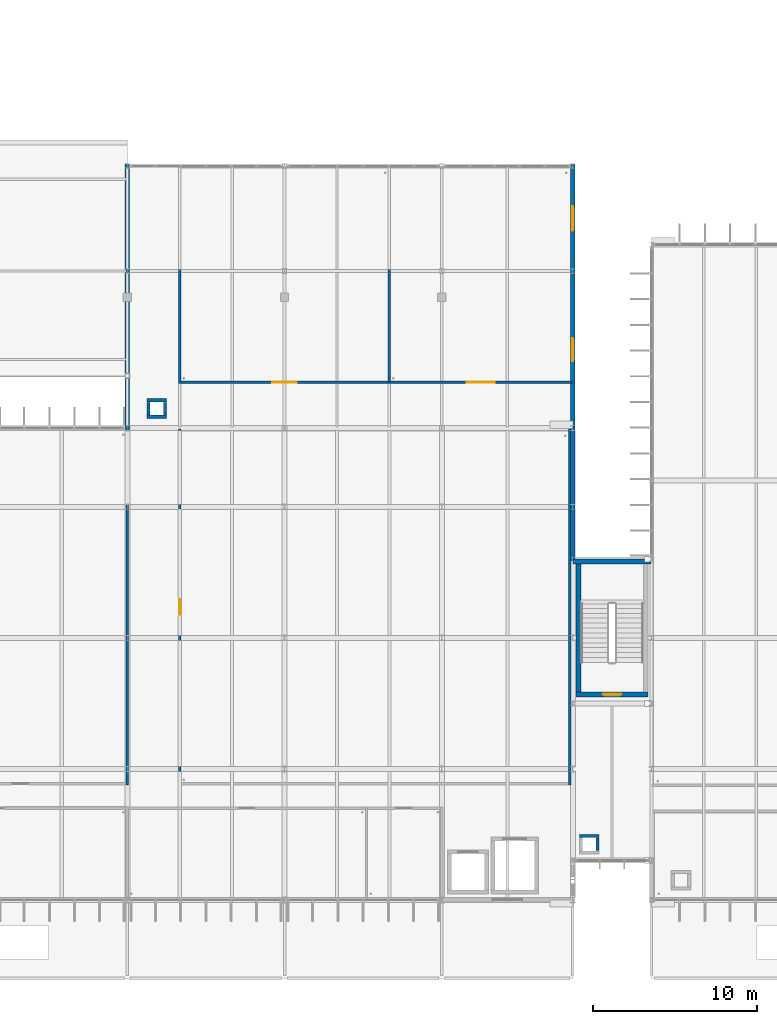
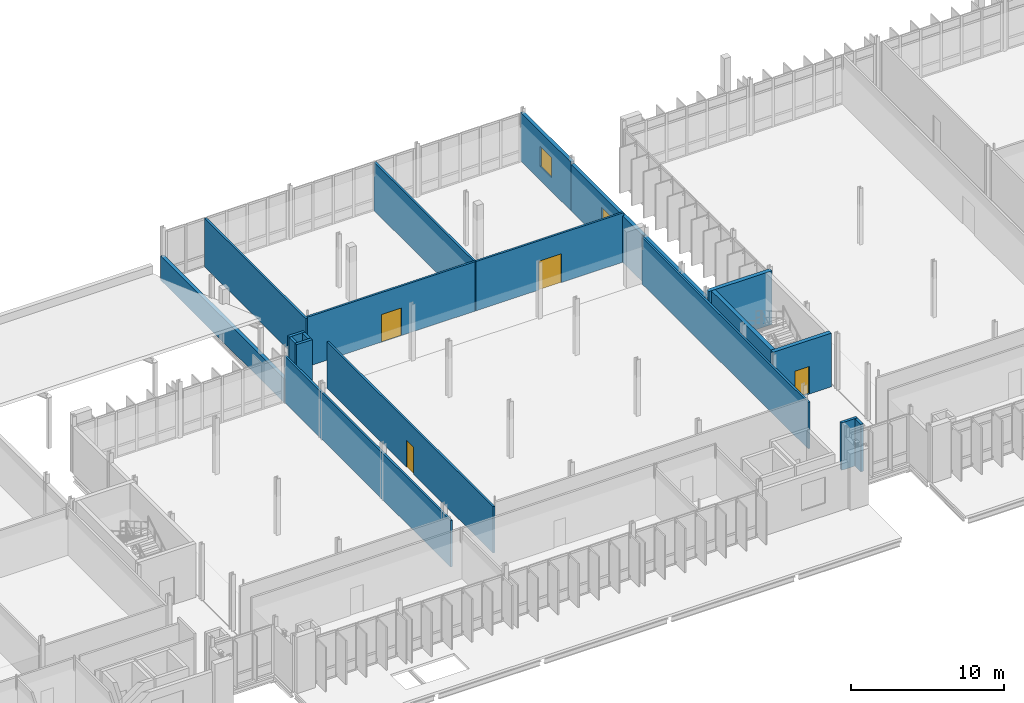
# One storey, part 64 of 107: 20 walls, 4 doors, 2 windows, 6 openings.
"""IFC4 building model written with IfcOpenShell, lengths in metres."""

from ifc_helpers import new_model, si_unit, direction, frame, frame_2d, origin, place, context, subcontext, project, spatial, rectangle, extrude, material, layer, layer_set, type_object, element, fill, save


model = new_model("IFC4")

# Units and contexts
model_context = context("Model", 3, precision=1e-05, world=origin(), true_north=direction((0.0, 1.0)))
body_context = subcontext(model_context, "Body", "Model", "MODEL_VIEW")
ifc_project = project(units=[si_unit("LENGTHUNIT", "METRE"), si_unit("AREAUNIT", "SQUARE_METRE"), si_unit("VOLUMEUNIT", "CUBIC_METRE"), si_unit("PLANEANGLEUNIT", "RADIAN"), si_unit("MASSUNIT", "GRAM", prefix="KILO")], contexts=[model_context])

# Site, building, storey
site_placement = place(None, origin())
site = spatial("IfcSite", under=ifc_project, at=site_placement, CompositionType="ELEMENT")
building_placement = place(site_placement, origin())
building = spatial("IfcBuilding", under=site, at=building_placement, Name="Dunescarp Central Library", CompositionType="ELEMENT")
storey_placement = place(building_placement, frame((0.0, 0.0, 5.10009765625)))
storey = spatial("IfcBuildingStorey", under=building, at=storey_placement, Name="L01", CompositionType="ELEMENT", Elevation=5.10009765625)

# Wall
ifc_material_1 = material(Name="Gypsum plasterboard acoustic partition")
ifc_layer_1 = layer(ifc_material_1, 0.14990234375)
ifc_layer_set_1 = layer_set([ifc_layer_1], Name="Gypsum plasterboard acoustic partition")
wall_type_1 = type_object("IfcWallType", Name="ARC-PT-AC150", PredefinedType="PARTITIONING", material=ifc_layer_set_1)
wall_1_placement = place(storey_placement, frame((97.60009765625, 11.824951171875, 0.0), z_axis=(0.0, 0.0, 1.0), x_axis=(0.0, 1.0, 0.0)))
element("IfcWall", 1, at=wall_1_placement, inside=storey, type_object=wall_type_1, Name="L01 partition PT-L01-0276", PredefinedType="PARTITIONING", context=body_context, shape_type="SweptSolid", body=[
    extrude(rectangle(XDim=21.735107421875, YDim=0.14990234375, at=frame_2d((10.86767578125, 0.0))), origin(), (0.0, 0.0, 1.0), 3.71484375),
])

# Wall, opening, door
wall_2_placement = place(storey_placement, frame((100.800048828125, 11.824951171875, 0.0), z_axis=(0.0, 0.0, 1.0), x_axis=(0.0, 1.0, 0.0)))
wall_2 = element("IfcWall", 2, at=wall_2_placement, inside=storey, type_object=wall_type_1, Name="L01 partition PT-L01-0278", PredefinedType="PARTITIONING", context=body_context, shape_type="SweptSolid", body=[
    extrude(rectangle(XDim=21.735107421875, YDim=0.14990234375, at=frame_2d((10.86767578125, 0.0))), origin(), (0.0, 0.0, 1.0), 3.71484375),
])
opening_1_placement = place(wall_2_placement, frame((10.39306640625, 0.0, 0.0)))
opening_1 = element("IfcOpeningElement", 3, at=opening_1_placement, cuts=wall_2, Name="Opening DR-L01-0116", PredefinedType="OPENING", context=body_context, shape_type="SweptSolid", body=[
    extrude(rectangle(XDim=0.949951171875, YDim=2.14990234375, at=frame_2d((0.47509765625, 1.074951171875))), frame((0.0, 0.0849609375, 0.0), z_axis=(0.0, -1.0, 0.0), x_axis=(1.0, 0.0, 0.0)), (0.0, 0.0, 1.0), 0.169921875),
])
ifc_material_2 = material(Name="Hardwood solid-core timber leaf", Category="wood")
door_type_1 = type_object("IfcDoorType", Name="ARC-DR-INT950", OperationType="NOTDEFINED", PredefinedType="DOOR", material=ifc_material_2)
door_1_placement = place(opening_1_placement, origin())
door_1 = element("IfcDoor", 4, at=door_1_placement, inside=storey, type_object=door_type_1, Name="L01 interior door DR-L01-0116", OperationType="SINGLE_SWING_LEFT", OverallHeight=2.14990234375, OverallWidth=0.949951171875, PredefinedType="DOOR", context=body_context, shape_type="SweptSolid", body=[
    extrude(rectangle(XDim=0.949951171875, YDim=2.14990234375, at=frame_2d((0.47509765625, 1.074951171875))), frame((0.0, 0.02490234375, 0.0), z_axis=(0.0, -1.0, 0.0), x_axis=(1.0, 0.0, 0.0)), (0.0, 0.0, 1.0), 0.050048828125),
])
fill(opening_1, door_1)

# Wall
wall_3_placement = place(storey_placement, frame((124.60009765625, 11.824951171875, 0.0), z_axis=(0.0, 0.0, 1.0), x_axis=(0.0, 1.0, 0.0)))
element("IfcWall", 5, at=wall_3_placement, inside=storey, type_object=wall_type_1, Name="L01 partition PT-L01-0279", PredefinedType="PARTITIONING", context=body_context, shape_type="SweptSolid", body=[
    extrude(rectangle(XDim=21.735107421875, YDim=0.14990234375, at=frame_2d((10.86767578125, 0.0))), origin(), (0.0, 0.0, 1.0), 3.71484375),
])

# Wall, opening, door
wall_4_placement = place(storey_placement, frame((100.875, 36.39990234375, 0.0), z_axis=(0.0, 0.0, 1.0), x_axis=(1.0, 0.0, 0.0)))
wall_4 = element("IfcWall", 6, at=wall_4_placement, inside=storey, type_object=wall_type_1, Name="L01 partition PT-L01-0318", PredefinedType="PARTITIONING", context=body_context, shape_type="SweptSolid", body=[
    extrude(rectangle(XDim=12.64990234375, YDim=0.14990234375, at=frame_2d((6.324951171875, 0.0))), origin(), (0.0, 0.0, 1.0), 3.954833984375),
])
opening_2_placement = place(wall_4_placement, frame((5.574951171875, 0.0, 0.0)))
opening_2 = element("IfcOpeningElement", 7, at=opening_2_placement, cuts=wall_4, Name="Opening DR-L01-0136", PredefinedType="OPENING", context=body_context, shape_type="SweptSolid", body=[
    extrude(rectangle(XDim=1.5, YDim=2.199951171875, at=frame_2d((0.75, 1.10009765625))), frame((0.0, 0.0849609375, 0.0), z_axis=(0.0, -1.0, 0.0), x_axis=(1.0, 0.0, 0.0)), (0.0, 0.0, 1.0), 0.169921875),
])
ifc_material_3 = material(Name="Marine-grade anodised aluminium 6063-T6", Category="aluminium")
door_type_2 = type_object("IfcDoorType", Name="ARC-DR-DBL1500", OperationType="DOUBLE_DOOR_SINGLE_SWING", PredefinedType="DOOR", material=ifc_material_3)
door_2_placement = place(opening_2_placement, origin())
door_2 = element("IfcDoor", 8, at=door_2_placement, inside=storey, type_object=door_type_2, Name="L01 interior door DR-L01-0136", OperationType="DOUBLE_DOOR_SINGLE_SWING", OverallHeight=2.199951171875, OverallWidth=1.5, PredefinedType="DOOR", context=body_context, shape_type="SweptSolid", body=[
    extrude(rectangle(XDim=1.5, YDim=2.199951171875, at=frame_2d((0.75, 1.10009765625))), frame((0.0, 0.02490234375, 0.0), z_axis=(0.0, -1.0, 0.0), x_axis=(1.0, 0.0, 0.0)), (0.0, 0.0, 1.0), 0.050048828125),
])
fill(opening_2, door_2)

# Walls
for number, where, z_axis, x_axis, name in (
    (9, (100.800048828125, 36.324951171875, 0.0), (0.0, 0.0, 1.0), (0.0, 1.0, 0.0), "L01 partition PT-L01-0319"),
    (10, (113.60009765625, 36.324951171875, 0.0), (0.0, 0.0, 1.0), (0.0, 1.0, 0.0), "L01 partition PT-L01-0320"),
):
    element("IfcWall", number, at=place(storey_placement, frame(where, z_axis=z_axis, x_axis=x_axis)), inside=storey, type_object=wall_type_1, Name=name, PredefinedType="PARTITIONING", context=body_context, shape_type="SweptSolid", body=[
        extrude(rectangle(XDim=13.235107421875, YDim=0.14990234375, at=frame_2d((6.61767578125, 0.0))), origin(), (0.0, 0.0, 1.0), 3.875),
    ])

# Wall, opening, door
wall_5_placement = place(storey_placement, frame((113.60009765625, 36.39990234375, 0.0), z_axis=(0.0, 0.0, 1.0), x_axis=(1.0, 0.0, 0.0)))
wall_5 = element("IfcWall", 11, at=wall_5_placement, inside=storey, type_object=wall_type_1, Name="L01 partition PT-L01-0321", PredefinedType="PARTITIONING", context=body_context, shape_type="SweptSolid", body=[
    extrude(rectangle(XDim=11.159912109375, YDim=0.14990234375, at=frame_2d((5.580078125, 0.0))), origin(), (0.0, 0.0, 1.0), 3.934814453125),
])
opening_3_placement = place(wall_5_placement, frame((4.72998046875, 0.0, 0.0)))
opening_3 = element("IfcOpeningElement", 12, at=opening_3_placement, cuts=wall_5, Name="Opening DR-L01-0137", PredefinedType="OPENING", context=body_context, shape_type="SweptSolid", body=[
    extrude(rectangle(XDim=1.699951171875, YDim=2.300048828125, at=frame_2d((0.85009765625, 1.14990234375))), frame((0.0, 0.0849609375, 0.0), z_axis=(0.0, -1.0, 0.0), x_axis=(1.0, 0.0, 0.0)), (0.0, 0.0, 1.0), 0.169921875),
])
door_type_3 = type_object("IfcDoorType", Name="ARC-DR-DBL1700", OperationType="DOUBLE_DOOR_SINGLE_SWING", PredefinedType="DOOR", material=ifc_material_3)
door_3_placement = place(opening_3_placement, origin())
door_3 = element("IfcDoor", 13, at=door_3_placement, inside=storey, type_object=door_type_3, Name="L01 interior door DR-L01-0137", OperationType="DOUBLE_DOOR_SINGLE_SWING", OverallHeight=2.300048828125, OverallWidth=1.699951171875, PredefinedType="DOOR", context=body_context, shape_type="SweptSolid", body=[
    extrude(rectangle(XDim=1.699951171875, YDim=2.300048828125, at=frame_2d((0.85009765625, 1.14990234375))), frame((0.0, 0.02490234375, 0.0), z_axis=(0.0, -1.0, 0.0), x_axis=(1.0, 0.0, 0.0)), (0.0, 0.0, 1.0), 0.050048828125),
])
fill(opening_3, door_3)

# Wall
ifc_material_4 = material(Name="Glass-fibre reinforced concrete GRC", Category="concrete")
ifc_layer_2 = layer(ifc_material_4, 0.260009765625)
ifc_layer_set_2 = layer_set([ifc_layer_2], Name="Glass-fibre reinforced concrete GRC")
wall_type_2 = type_object("IfcWallType", Name="ARC-WL-GRC260", PredefinedType="SOLIDWALL", material=ifc_layer_set_2)
wall_6_placement = place(storey_placement, frame((124.800048828125, 33.68505859375, 0.0), z_axis=(0.0, 0.0, 1.0), x_axis=(0.0, -1.0, 0.0)))
element("IfcWall", 14, at=wall_6_placement, inside=storey, type_object=wall_type_2, Name="L01 external wall EW-V3-075", PredefinedType="SOLIDWALL", context=body_context, shape_type="SweptSolid", body=[
    extrude(rectangle(XDim=8.170166015625, YDim=0.260009765625, at=frame_2d((4.0849609375, 0.0))), origin(), (0.0, 0.0, 1.0), 3.71484375),
])

# Wall, opening, window
wall_7_placement = place(storey_placement, frame((124.800048828125, 49.68505859375, 0.0), z_axis=(0.0, 0.0, 1.0), x_axis=(0.0, -1.0, 0.0)))
wall_7 = element("IfcWall", 15, at=wall_7_placement, inside=storey, type_object=wall_type_2, Name="L01 external wall EW-V3D-L01-101", PredefinedType="SOLIDWALL", context=body_context, shape_type="SweptSolid", body=[
    extrude(rectangle(XDim=6.570068359375, YDim=0.260009765625, at=frame_2d((3.28515625, 0.0))), origin(), (0.0, 0.0, 1.0), 3.875),
])
opening_4_placement = place(wall_7_placement, frame((2.534912109375, 0.0, 1.10009765625)))
opening_4 = element("IfcOpeningElement", 16, at=opening_4_placement, cuts=wall_7, Name="Opening WN-V3D-L01-28", PredefinedType="OPENING", context=body_context, shape_type="SweptSolid", body=[
    extrude(rectangle(XDim=1.5, YDim=1.60009765625, at=frame_2d((0.75, 0.800048828125))), frame((0.0, 0.14013671875, 0.0), z_axis=(0.0, -1.0, 0.0), x_axis=(1.0, 0.0, 0.0)), (0.0, 0.0, 1.0), 0.280029296875),
])
ifc_material_5 = material(Name="Solar-control laminated double glazing", Category="glass")
window_type_1 = type_object("IfcWindowType", Name="ARC-WN-1500X1600", PartitioningType="SINGLE_PANEL", PredefinedType="WINDOW", material=ifc_material_5)
window_1_placement = place(opening_4_placement, origin())
window_1 = element("IfcWindow", 17, at=window_1_placement, inside=storey, type_object=window_type_1, Name="L01 window WN-V3D-L01-28", OverallHeight=1.60009765625, OverallWidth=1.5, PartitioningType="SINGLE_PANEL", PredefinedType="WINDOW", context=body_context, shape_type="SweptSolid", body=[
    extrude(rectangle(XDim=1.5, YDim=1.60009765625, at=frame_2d((0.75, 0.800048828125))), frame((0.0, 0.030029296875, 0.0), z_axis=(0.0, -1.0, 0.0), x_axis=(1.0, 0.0, 0.0)), (0.0, 0.0, 1.0), 0.06005859375),
])
fill(opening_4, window_1)

wall_8_placement = place(storey_placement, frame((124.800048828125, 43.284912109375, 0.0), z_axis=(0.0, 0.0, 1.0), x_axis=(0.0, -1.0, 0.0)))
wall_8 = element("IfcWall", 18, at=wall_8_placement, inside=storey, type_object=wall_type_2, Name="L01 external wall EW-V3D-L01-102", PredefinedType="SOLIDWALL", context=body_context, shape_type="SweptSolid", body=[
    extrude(rectangle(XDim=9.77001953125, YDim=0.260009765625, at=frame_2d((4.885009765625, 0.0))), origin(), (0.0, 0.0, 1.0), 3.71484375),
])
opening_5_placement = place(wall_8_placement, frame((4.18505859375, 0.0, 1.10009765625)))
opening_5 = element("IfcOpeningElement", 19, at=opening_5_placement, cuts=wall_8, Name="Opening WN-V3D-L01-29", PredefinedType="OPENING", context=body_context, shape_type="SweptSolid", body=[
    extrude(rectangle(XDim=1.39990234375, YDim=1.60009765625, at=frame_2d((0.699951171875, 0.800048828125))), frame((0.0, 0.14013671875, 0.0), z_axis=(0.0, -1.0, 0.0), x_axis=(1.0, 0.0, 0.0)), (0.0, 0.0, 1.0), 0.280029296875),
])
window_type_2 = type_object("IfcWindowType", Name="ARC-WN-1400X1600", PartitioningType="SINGLE_PANEL", PredefinedType="WINDOW", material=ifc_material_5)
window_2_placement = place(opening_5_placement, origin())
window_2 = element("IfcWindow", 20, at=window_2_placement, inside=storey, type_object=window_type_2, Name="L01 window WN-V3D-L01-29", OverallHeight=1.60009765625, OverallWidth=1.39990234375, PartitioningType="SINGLE_PANEL", PredefinedType="WINDOW", context=body_context, shape_type="SweptSolid", body=[
    extrude(rectangle(XDim=1.39990234375, YDim=1.60009765625, at=frame_2d((0.699951171875, 0.800048828125))), frame((0.0, 0.030029296875, 0.0), z_axis=(0.0, -1.0, 0.0), x_axis=(1.0, 0.0, 0.0)), (0.0, 0.0, 1.0), 0.06005859375),
])
fill(opening_5, window_2)

# Walls
wall_9_placement = place(storey_placement, frame((97.60009765625, 33.514892578125, 0.0), z_axis=(0.0, 0.0, 1.0), x_axis=(0.0, 1.0, 0.0)))
element("IfcWall", 21, at=wall_9_placement, inside=storey, type_object=wall_type_2, Name="L01 external wall EW-V3D-L01-W", PredefinedType="SOLIDWALL", context=body_context, shape_type="SweptSolid", body=[
    extrude(rectangle(XDim=16.170166015625, YDim=0.260009765625, at=frame_2d((8.0849609375, 0.0))), origin(), (0.0, 0.0, 1.0), 1.927001953125),
])
ifc_material_6 = material(Name="Concrete C35/45", Category="concrete")
ifc_layer_3 = layer(ifc_material_6, 0.199951171875)
ifc_layer_set_3 = layer_set([ifc_layer_3], Name="Concrete C35/45")
wall_type_3 = type_object("IfcWallType", Name="ARC-WL-RISER200", PredefinedType="PARTITIONING", material=ifc_layer_set_3)
wall_10_placement = place(storey_placement, frame((125.199951171875, 8.699951171875, 0.0), z_axis=(0.0, 0.0, 1.0), x_axis=(1.0, 0.0, 0.0)))
element("IfcWall", 22, at=wall_10_placement, inside=storey, type_object=wall_type_3, Name="L01 GL3 duct shaft wall N", PredefinedType="PARTITIONING", context=body_context, shape_type="SweptSolid", body=[
    extrude(rectangle(XDim=1.199951171875, YDim=0.199951171875, at=frame_2d((0.60009765625, 0.0))), origin(), (0.0, 0.0, 1.0), 3.789794921875),
])
wall_11_placement = place(storey_placement, frame((126.300048828125, 8.580078125, 0.0), z_axis=(0.0, 0.0, 1.0), x_axis=(0.0, -1.0, 0.0)))
element("IfcWall", 23, at=wall_11_placement, inside=storey, type_object=wall_type_3, Name="L01 GL3 duct shaft wall E", PredefinedType="PARTITIONING", context=body_context, shape_type="SweptSolid", body=[
    extrude(rectangle(XDim=0.760009765625, YDim=0.199951171875, at=frame_2d((0.3798828125, 0.0))), origin(), (0.0, 0.0, 1.0), 3.789794921875),
])
for number, where, z_axis, x_axis, name in (
    (24, (100.0, 34.300048828125, 0.0), (0.0, 0.0, 1.0), (-1.0, 0.0, 0.0), "L01 V3D duct shaft wall S"),
    (25, (98.800048828125, 35.300048828125, 0.0), (0.0, 0.0, 1.0), (1.0, 0.0, 0.0), "L01 V3D duct shaft wall N"),
):
    element("IfcWall", number, at=place(storey_placement, frame(where, z_axis=z_axis, x_axis=x_axis)), inside=storey, type_object=wall_type_3, Name=name, PredefinedType="PARTITIONING", context=body_context, shape_type="SweptSolid", body=[
        extrude(rectangle(XDim=1.199951171875, YDim=0.199951171875, at=frame_2d((0.60009765625, 0.0))), origin(), (0.0, 0.0, 1.0), 3.7548828125),
    ])
for number, where, z_axis, x_axis, name in (
    (26, (98.89990234375, 34.419921875, 0.0), (0.0, 0.0, 1.0), (0.0, 1.0, 0.0), "L01 V3D duct shaft wall W"),
    (27, (99.89990234375, 35.179931640625, 0.0), (0.0, 0.0, 1.0), (0.0, -1.0, 0.0), "L01 V3D duct shaft wall E"),
):
    element("IfcWall", number, at=place(storey_placement, frame(where, z_axis=z_axis, x_axis=x_axis)), inside=storey, type_object=wall_type_3, Name=name, PredefinedType="PARTITIONING", context=body_context, shape_type="SweptSolid", body=[
        extrude(rectangle(XDim=0.760009765625, YDim=0.199951171875, at=frame_2d((0.3798828125, 0.0))), origin(), (0.0, 0.0, 1.0), 3.7548828125),
    ])

# Wall, opening, door
ifc_material_7 = material(Name="Concrete C40/50", Category="concrete")
ifc_layer_4 = layer(ifc_material_7, 0.300048828125)
ifc_layer_set_4 = layer_set([ifc_layer_4], Name="Concrete C40/50")
wall_type_4 = type_object("IfcWallType", Name="STR-WL-CORE300", PredefinedType="SHEAR", material=ifc_layer_set_4)
wall_12_placement = place(storey_placement, frame((129.39990234375, 17.35009765625, 0.0), z_axis=(0.0, 0.0, 1.0), x_axis=(-1.0, 0.0, 0.0)))
wall_12 = element("IfcWall", 28, at=wall_12_placement, inside=storey, type_object=wall_type_4, Name="L01 ST-5 south core wall", PredefinedType="SHEAR", context=body_context, shape_type="SweptSolid", body=[
    extrude(rectangle(XDim=4.39990234375, YDim=0.300048828125, at=frame_2d((2.199951171875, 0.0))), origin(), (0.0, 0.0, 1.0), 4.289794921875),
])
opening_6_placement = place(wall_12_placement, frame((1.64990234375, 0.0, 0.0)))
opening_6 = element("IfcOpeningElement", 29, at=opening_6_placement, cuts=wall_12, Name="Opening D-ST-5-L01", PredefinedType="OPENING", context=body_context, shape_type="SweptSolid", body=[
    extrude(rectangle(XDim=1.10009765625, YDim=2.199951171875, at=frame_2d((0.550048828125, 1.10009765625))), frame((0.0, 0.16015625, 0.0), z_axis=(0.0, -1.0, 0.0), x_axis=(1.0, 0.0, 0.0)), (0.0, 0.0, 1.0), 0.320068359375),
])
ifc_material_8 = material(Name="Galvanised steel FD120S", Category="steel")
door_type_4 = type_object("IfcDoorType", Name="ARC-DR-STAIR", OperationType="NOTDEFINED", PredefinedType="DOOR", material=ifc_material_8)
door_4_placement = place(opening_6_placement, origin())
door_4 = element("IfcDoor", 30, at=door_4_placement, inside=storey, type_object=door_type_4, Name="L01 ST-5 fire stair door", OperationType="SINGLE_SWING_LEFT", OverallHeight=2.199951171875, OverallWidth=1.10009765625, PredefinedType="DOOR", context=body_context, shape_type="SweptSolid", body=[
    extrude(rectangle(XDim=1.10009765625, YDim=2.199951171875, at=frame_2d((0.550048828125, 1.10009765625))), frame((0.0, 0.02490234375, 0.0), z_axis=(0.0, -1.0, 0.0), x_axis=(1.0, 0.0, 0.0)), (0.0, 0.0, 1.0), 0.050048828125),
])
fill(opening_6, door_4)

# Walls
wall_13_placement = place(storey_placement, frame((124.820068359375, 25.449951171875, 0.0), z_axis=(0.0, 0.0, 1.0), x_axis=(1.0, 0.0, 0.0)))
element("IfcWall", 31, at=wall_13_placement, inside=storey, type_object=wall_type_4, Name="L01 ST-5 north core wall", PredefinedType="SHEAR", context=body_context, shape_type="SweptSolid", body=[
    extrude(rectangle(XDim=4.760009765625, YDim=0.300048828125, at=frame_2d((2.3798828125, 0.0))), origin(), (0.0, 0.0, 1.0), 4.289794921875),
])
wall_14_placement = place(storey_placement, frame((125.14990234375, 17.5, 0.0), z_axis=(0.0, 0.0, 1.0), x_axis=(0.0, 1.0, 0.0)))
element("IfcWall", 32, at=wall_14_placement, inside=storey, type_object=wall_type_4, Name="L01 ST-5 west core wall", PredefinedType="SHEAR", context=body_context, shape_type="SweptSolid", body=[
    extrude(rectangle(XDim=7.800048828125, YDim=0.300048828125, at=frame_2d((3.89990234375, 0.0))), origin(), (0.0, 0.0, 1.0), 4.289794921875),
])

save(model, "model.ifc")
